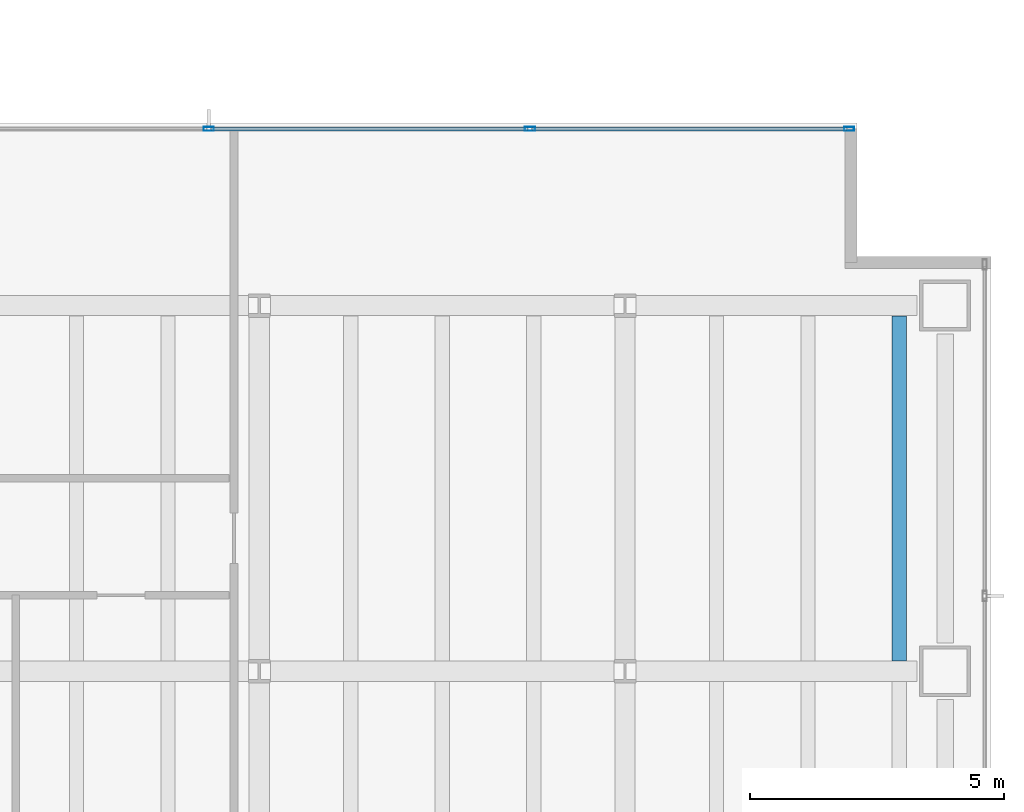
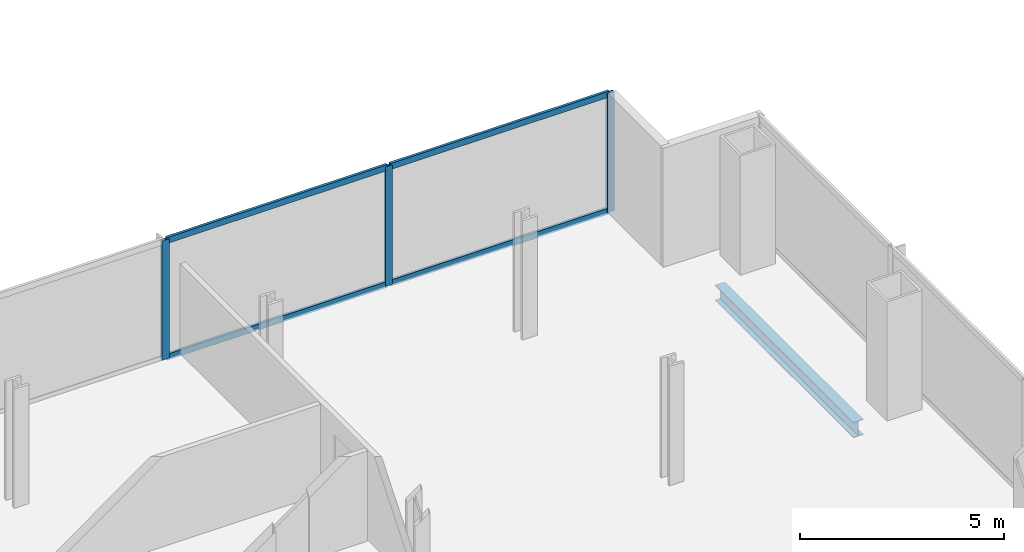
# One storey, part 12 of 25: 7 members, 1 beam, 1 element without a shape of its own.
"""IFC4 building model written with IfcOpenShell, lengths in metres."""

from ifc_helpers import new_model, si_unit, direction, frame, origin, origin_2d, place, context, subcontext, project, spatial, hollow_rectangle, i_section, extrude, material, material_profile, profile_set, type_object, element, aggregate, save


model = new_model("IFC4")

# Units and contexts
model_context = context("Model", 3, precision=1e-05, world=origin(), true_north=direction((0.0, 1.0)))
body_context = subcontext(model_context, "Body", "Model", "MODEL_VIEW")
ifc_project = project(units=[si_unit("LENGTHUNIT", "METRE"), si_unit("AREAUNIT", "SQUARE_METRE"), si_unit("VOLUMEUNIT", "CUBIC_METRE"), si_unit("PLANEANGLEUNIT", "RADIAN"), si_unit("MASSUNIT", "GRAM", prefix="KILO")], contexts=[model_context])

# Site, building, storey
site_placement = place(None, origin())
site = spatial("IfcSite", under=ifc_project, at=site_placement, CompositionType="ELEMENT")
building_placement = place(site_placement, origin())
building = spatial("IfcBuilding", under=site, at=building_placement, Name="Cobrela Telecom Tower", CompositionType="ELEMENT")
storey_placement = place(building_placement, frame((0.0, 0.0, 46.550048828125)))
storey = spatial("IfcBuildingStorey", under=building, at=storey_placement, Name="L11", CompositionType="ELEMENT", Elevation=46.550048828125)

# Beam
ifc_material_1 = material(Name="Steel ASTM A992 Grade 50", Category="steel")
ifc_material_profile_1 = material_profile(ifc_material_1, i_section(OverallWidth=0.281982421875, OverallDepth=0.467041015625, WebThickness=0.01220703125, FlangeThickness=0.01953125, FilletRadius=0.012939453125, at=origin_2d()), Name="W18X86")
ifc_profile_set_1 = profile_set([ifc_material_profile_1], Name="Steel ASTM A992 Grade 50")
beam_type = type_object("IfcBeamType", Name="BM-JOIST-02", PredefinedType="JOIST", material=ifc_profile_set_1)
beam_placement = place(storey_placement, frame((48.60009765625, 14.6044921875, -0.513427734375), z_axis=(0.0, 1.0, 0.0), x_axis=(-1.0, 0.0, 0.0)))
element("IfcBeam", 1, at=beam_placement, inside=storey, type_object=beam_type, Name="L11 Secondary Composite Floor Beam J64", PredefinedType="JOIST", context=body_context, shape_type="SweptSolid", body=[
    extrude(i_section(OverallWidth=0.281982421875, OverallDepth=0.467041015625, WebThickness=0.01220703125, FlangeThickness=0.01953125, FilletRadius=0.012939453125, at=origin_2d()), origin(), (0.0, 0.0, 1.0), 6.791015625),
])

# Curtain wall, members
ifc_material_2 = material(Name="Anodized Bronze Aluminium 6063-T6", Category="aluminium")
curtain_wall_type = type_object("IfcCurtainWallType", Name="CW-SYS-DATA", PredefinedType="USERDEFINED", material=ifc_material_2)
curtain_wall_placement = place(storey_placement, origin())
curtain_wall = element("IfcCurtainWall", 2, at=curtain_wall_placement, inside=storey, type_object=curtain_wall_type, Name="L11 Unitised Bronze Curtain Wall 11", ObjectType="UNITISED CURTAIN WALL", PredefinedType="USERDEFINED")
ifc_material_profile_2 = material_profile(ifc_material_2, hollow_rectangle(XDim=0.080078125, YDim=0.199951171875, WallThickness=0.00390625, at=origin_2d()), Name="ALU 80x200x4")
ifc_profile_set_2 = profile_set([ifc_material_profile_2], Name="Anodized Bronze Aluminium 6063-T6")
member_type_1 = type_object("IfcMemberType", Name="CW-SYS-DATA-MUL", PredefinedType="MULLION", material=ifc_profile_set_2)
member_1_placement = place(storey_placement, frame((35.00341796875, 25.080078125, 0.0), z_axis=(0.0, 0.0, 1.0), x_axis=(0.0, 1.0, 0.0)))
member_1 = element("IfcMember", 3, at=member_1_placement, type_object=member_type_1, Name="CW-DATA mullion 2", PredefinedType="MULLION", context=body_context, shape_type="SweptSolid", body=[
    extrude(hollow_rectangle(XDim=0.080078125, YDim=0.199951171875, WallThickness=0.00390625, at=origin_2d()), origin(), (0.0, 0.0, 1.0), 3.570068359375),
])
member_2_placement = place(storey_placement, frame((41.32666015625, 25.080078125, 0.0), z_axis=(0.0, 0.0, 1.0), x_axis=(0.0, 1.0, 0.0)))
member_2 = element("IfcMember", 4, at=member_2_placement, type_object=member_type_1, Name="CW-DATA mullion 3", PredefinedType="MULLION", context=body_context, shape_type="SweptSolid", body=[
    extrude(hollow_rectangle(XDim=0.080078125, YDim=0.199951171875, WallThickness=0.00390625, at=origin_2d()), origin(), (0.0, 0.0, 1.0), 3.570068359375),
])
member_3_placement = place(storey_placement, frame((47.610107421875, 25.080078125, 0.0), z_axis=(0.0, 0.0, 1.0), x_axis=(0.0, 1.0, 0.0)))
member_3 = element("IfcMember", 5, at=member_3_placement, type_object=member_type_1, Name="CW-DATA mullion 4", PredefinedType="MULLION", context=body_context, shape_type="SweptSolid", body=[
    extrude(hollow_rectangle(XDim=0.080078125, YDim=0.199951171875, WallThickness=0.00390625, at=origin_2d()), origin(), (0.0, 0.0, 1.0), 3.570068359375),
])
ifc_material_profile_3 = material_profile(ifc_material_2, hollow_rectangle(XDim=0.074951171875, YDim=0.179931640625, WallThickness=0.00390625, at=origin_2d()), Name="ALU 75x180x4")
ifc_profile_set_3 = profile_set([ifc_material_profile_3], Name="Anodized Bronze Aluminium 6063-T6")
member_type_2 = type_object("IfcMemberType", Name="CW-SYS-DATA-TRN", PredefinedType="USERDEFINED", material=ifc_profile_set_3)
member_4_placement = place(storey_placement, frame((35.043212890625, 25.080078125, 0.037353515625), z_axis=(1.0, 0.0, 0.0), x_axis=(0.0, 1.0, 0.0)))
member_4 = element("IfcMember", 6, at=member_4_placement, type_object=member_type_2, Name="CW-DATA transom 2.1", ObjectType="TRANSOM", PredefinedType="USERDEFINED", context=body_context, shape_type="SweptSolid", body=[
    extrude(hollow_rectangle(XDim=0.074951171875, YDim=0.179931640625, WallThickness=0.00390625, at=origin_2d()), origin(), (0.0, 0.0, 1.0), 6.243408203125),
])
member_5_placement = place(storey_placement, frame((35.043212890625, 25.080078125, 3.532470703125), z_axis=(1.0, 0.0, 0.0), x_axis=(0.0, 1.0, 0.0)))
member_5 = element("IfcMember", 7, at=member_5_placement, type_object=member_type_2, Name="CW-DATA transom 2.2", ObjectType="TRANSOM", PredefinedType="USERDEFINED", context=body_context, shape_type="SweptSolid", body=[
    extrude(hollow_rectangle(XDim=0.074951171875, YDim=0.179931640625, WallThickness=0.00390625, at=origin_2d()), origin(), (0.0, 0.0, 1.0), 6.243408203125),
])
member_6_placement = place(storey_placement, frame((41.36669921875, 25.080078125, 0.037353515625), z_axis=(1.0, 0.0, 0.0), x_axis=(0.0, 1.0, 0.0)))
member_6 = element("IfcMember", 8, at=member_6_placement, type_object=member_type_2, Name="CW-DATA transom 3.1", ObjectType="TRANSOM", PredefinedType="USERDEFINED", context=body_context, shape_type="SweptSolid", body=[
    extrude(hollow_rectangle(XDim=0.074951171875, YDim=0.179931640625, WallThickness=0.00390625, at=origin_2d()), origin(), (0.0, 0.0, 1.0), 6.203369140625),
])
member_7_placement = place(storey_placement, frame((41.36669921875, 25.080078125, 3.532470703125), z_axis=(1.0, 0.0, 0.0), x_axis=(0.0, 1.0, 0.0)))
member_7 = element("IfcMember", 9, at=member_7_placement, type_object=member_type_2, Name="CW-DATA transom 3.2", ObjectType="TRANSOM", PredefinedType="USERDEFINED", context=body_context, shape_type="SweptSolid", body=[
    extrude(hollow_rectangle(XDim=0.074951171875, YDim=0.179931640625, WallThickness=0.00390625, at=origin_2d()), origin(), (0.0, 0.0, 1.0), 6.203369140625),
])
aggregate(curtain_wall, [member_1, member_2, member_3, member_4, member_5, member_6, member_7])

save(model, "model.ifc")
